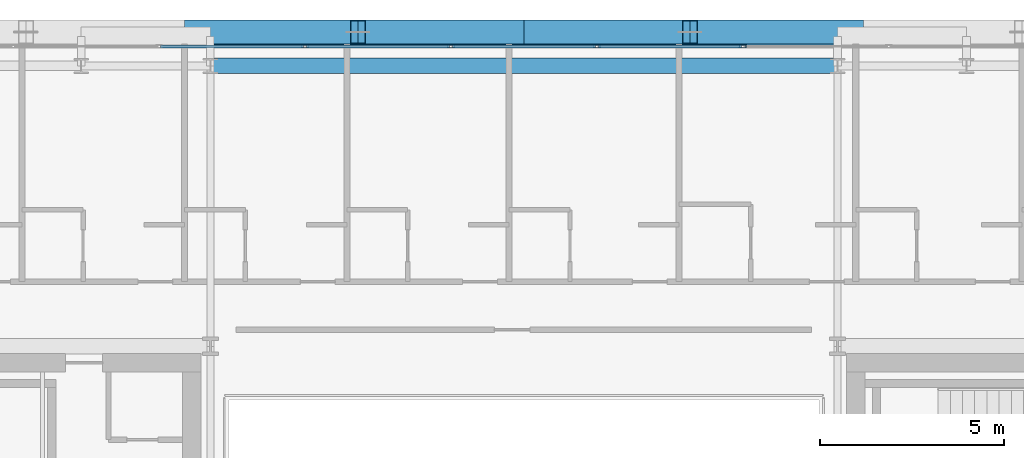
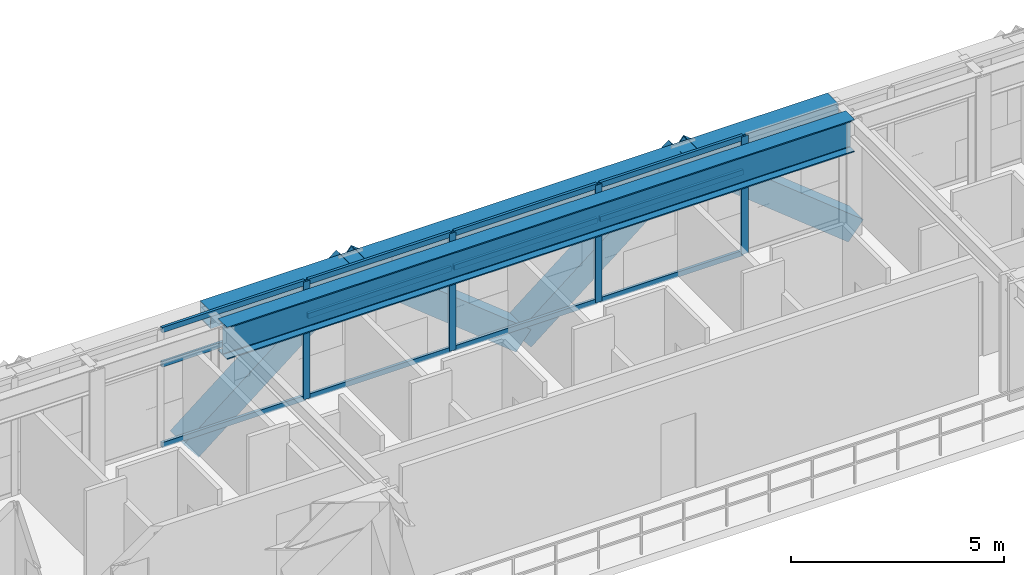
# One storey, part 17 of 32: 20 members, 2 beams, 1 element without a shape of its own.
"""IFC4 building model written with IfcOpenShell, lengths in metres."""

from ifc_helpers import new_model, si_unit, direction, frame, origin, origin_2d, place, context, subcontext, project, spatial, hollow_rectangle, i_section, extrude, source, transform, mapped, material, layer, layer_set, material_profile, profile_set, type_object, element, aggregate, save


model = new_model("IFC4")

# Units and contexts
model_context = context("Model", 3, precision=1e-05, world=origin(), true_north=direction((0.0, 1.0)))
body_context = subcontext(model_context, "Body", "Model", "MODEL_VIEW")
ifc_project = project(units=[si_unit("LENGTHUNIT", "METRE"), si_unit("AREAUNIT", "SQUARE_METRE"), si_unit("VOLUMEUNIT", "CUBIC_METRE"), si_unit("PLANEANGLEUNIT", "RADIAN"), si_unit("MASSUNIT", "GRAM", prefix="KILO")], contexts=[model_context])

# Site, building, storey
site_placement = place(None, origin())
site = spatial("IfcSite", under=ifc_project, at=site_placement, CompositionType="ELEMENT")
building_placement = place(site_placement, origin())
building = spatial("IfcBuilding", under=site, at=building_placement, Name="Ocotamira Hotel", CompositionType="ELEMENT")
storey_placement = place(building_placement, frame((0.0, 0.0, 166.800048828125)))
storey = spatial("IfcBuildingStorey", under=building, at=storey_placement, Name="L41", CompositionType="ELEMENT", Elevation=166.800048828125)

# Beams
ifc_material_1 = material(Name="Steel ASTM A992 Grade 50", Category="steel")
ifc_material_profile_1 = material_profile(ifc_material_1, i_section(OverallWidth=0.41796875, OverallDepth=0.927001953125, WebThickness=0.019287109375, FlangeThickness=0.031982421875, FilletRadius=0.02392578125, at=origin_2d()), Name="W36X231")
ifc_profile_set_1 = profile_set([ifc_material_profile_1], Name="Steel ASTM A992 Grade 50")
beam_type_1 = type_object("IfcBeamType", Name="BM-GIRD-W36X231", PredefinedType="BEAM", material=ifc_profile_set_1)
shared_shape_1 = source(origin(), body_context, "Body", "SweptSolid", [
    extrude(i_section(OverallWidth=0.41796875, OverallDepth=0.927001953125, WebThickness=0.019287109375, FlangeThickness=0.031982421875, FilletRadius=0.02392578125, at=origin_2d()), origin(), (0.0, 0.0, 1.0), 17.0),
])
beam_1_placement = place(storey_placement, frame((23.5, 45.050048828125, 2.906494140625), z_axis=(1.0, 0.0, 0.0), x_axis=(0.0, 1.0, 0.0)))
element("IfcBeam", 1, at=beam_1_placement, inside=storey, type_object=beam_type_1, Name="L41 Girder Y45.05 X23.5-40.5", PredefinedType="BEAM", context=body_context, shape_type="MappedRepresentation", body=[
    mapped(shared_shape_1, transform((0.0, 0.0, 0.0), scale=1.0)),
])
ifc_material_2 = material(Name="Steel ASTM A500 Grade C", Category="steel")
ifc_material_profile_2 = material_profile(ifc_material_2, hollow_rectangle(XDim=0.5, YDim=0.5, WallThickness=0.02001953125, at=origin_2d()), Name="HSS500X500X20")
ifc_profile_set_2 = profile_set([ifc_material_profile_2], Name="Steel ASTM A500 Grade C")
beam_type_2 = type_object("IfcBeamType", Name="BM-SPAN-HSS500", PredefinedType="USERDEFINED", material=ifc_profile_set_2)
shared_shape_2 = source(origin(), body_context, "Body", "SweptSolid", [
    extrude(hollow_rectangle(XDim=0.5, YDim=0.5, WallThickness=0.02001953125, at=origin_2d()), origin(), (0.0, 0.0, 1.0), 17.0),
])
beam_2_placement = place(storey_placement, frame((23.5, 45.85009765625, 3.119873046875), z_axis=(1.0, 0.0, 0.0), x_axis=(0.0, 1.0, 0.0)))
element("IfcBeam", 2, at=beam_2_placement, inside=storey, type_object=beam_type_2, Name="L41 Edge Spandrel N X23.5-40.5", ObjectType="SPANDREL", PredefinedType="USERDEFINED", context=body_context, shape_type="MappedRepresentation", body=[
    mapped(shared_shape_2, transform((0.0, 0.0, 0.0), scale=1.0)),
])

# Members
ifc_material_3 = material(Name="Pale-metal coated steel ASTM A913 Grade 65", Category="steel")
ifc_material_profile_3 = material_profile(ifc_material_3, hollow_rectangle(XDim=0.64990234375, YDim=0.64990234375, WallThickness=0.02197265625, at=origin_2d()), Name="BOX650X650X22")
ifc_profile_set_3 = profile_set([ifc_material_profile_3], Name="Pale-metal coated steel ASTM A913 Grade 65")
member_type_1 = type_object("IfcMemberType", Name="MEM-EXO-BOX650", PredefinedType="BRACE", material=ifc_profile_set_3)
shared_shape_3 = source(origin(), body_context, "Body", "SweptSolid", [
    extrude(hollow_rectangle(XDim=0.64990234375, YDim=0.64990234375, WallThickness=0.02197265625, at=origin_2d()), origin(), (0.0, 0.0, 1.0), 5.7626953125),
])
for number, where, z_axis, x_axis, name in (
    (3, (23.0, 45.969970703125, -0.47998046875), (0.780881208953, 0.0, 0.624679547852), (0.0, 1.0, 0.0), "L41 Exoskeleton Diagrid N1.1"),
    (4, (32.0, 45.969970703125, -0.47998046875), (-0.780881208953, 0.0, 0.624679547852), (0.0, -1.0, 0.0), "L41 Exoskeleton Diagrid N1.2"),
    (5, (32.0, 45.969970703125, -0.47998046875), (0.780881208953, 0.0, 0.624679547852), (0.0, 1.0, 0.0), "L41 Exoskeleton Diagrid N2.1"),
    (6, (41.0, 45.969970703125, -0.47998046875), (-0.780881208953, 0.0, 0.624679547852), (0.0, -1.0, 0.0), "L41 Exoskeleton Diagrid N2.2"),
):
    element("IfcMember", number, at=place(storey_placement, frame(where, z_axis=z_axis, x_axis=x_axis)), inside=storey, type_object=member_type_1, Name=name, PredefinedType="BRACE", context=body_context, shape_type="MappedRepresentation", body=[
        mapped(shared_shape_3, transform((0.0, 0.0, 0.0), scale=1.0)),
    ])

# Curtain wall, members
ifc_material_4 = material(Name="Anodised pale-metal aluminium and solar glass", Category="aluminium")
ifc_layer = layer(ifc_material_4, 0.199951171875)
ifc_layer_set = layer_set([ifc_layer], Name="Anodised pale-metal aluminium and solar glass")
curtain_wall_type = type_object("IfcCurtainWallType", Name="CW-SYS4-Z3", PredefinedType="NOTDEFINED", material=ifc_layer_set)
curtain_wall_placement = place(storey_placement, origin())
curtain_wall = element("IfcCurtainWall", 7, at=curtain_wall_placement, inside=storey, type_object=curtain_wall_type, Name="L41 Curtain Wall CW-4 CW-L41-N", PredefinedType="NOTDEFINED")
ifc_material_5 = material(Name="Anodised pale-metal aluminium 6063-T6", Category="aluminium")
ifc_material_profile_4 = material_profile(ifc_material_5, hollow_rectangle(XDim=0.074951171875, YDim=0.14990234375, WallThickness=0.006103515625, at=origin_2d()), Name="HSS150X75X6")
ifc_profile_set_4 = profile_set([ifc_material_profile_4], Name="Anodised pale-metal aluminium 6063-T6")
member_type_2 = type_object("IfcMemberType", Name="CWT-150X75", PredefinedType="USERDEFINED", material=ifc_profile_set_4)
shared_shape_4 = source(origin(), body_context, "Body", "SweptSolid", [
    extrude(hollow_rectangle(XDim=0.074951171875, YDim=0.14990234375, WallThickness=0.006103515625, at=origin_2d()), origin(), (0.0, 0.0, 1.0), 3.87548828125),
])
member_1_placement = place(storey_placement, frame((22.151123046875, 45.580078125, 0.037353515625), z_axis=(1.0, 0.0, 0.0), x_axis=(0.0, 1.0, 0.0)))
member_1 = element("IfcMember", 8, at=member_1_placement, type_object=member_type_2, Name="CW-4 transom 3.1", ObjectType="TRANSOM", PredefinedType="USERDEFINED", context=body_context, shape_type="MappedRepresentation", body=[
    mapped(shared_shape_4, transform((0.0, 0.0, 0.0), scale=1.0)),
])
member_2_placement = place(storey_placement, frame((22.151123046875, 45.580078125, 2.349853515625), z_axis=(1.0, 0.0, 0.0), x_axis=(0.0, 1.0, 0.0)))
member_2 = element("IfcMember", 9, at=member_2_placement, type_object=member_type_2, Name="CW-4 transom 3.2", ObjectType="TRANSOM", PredefinedType="USERDEFINED", context=body_context, shape_type="MappedRepresentation", body=[
    mapped(shared_shape_4, transform((0.0, 0.0, 0.0), scale=1.0)),
])
member_3_placement = place(storey_placement, frame((22.151123046875, 45.580078125, 3.33251953125), z_axis=(1.0, 0.0, 0.0), x_axis=(0.0, 1.0, 0.0)))
member_3 = element("IfcMember", 10, at=member_3_placement, type_object=member_type_2, Name="CW-4 transom 3.3", ObjectType="TRANSOM", PredefinedType="USERDEFINED", context=body_context, shape_type="MappedRepresentation", body=[
    mapped(shared_shape_4, transform((0.0, 0.0, 0.0), scale=1.0)),
])
member_4_placement = place(storey_placement, frame((26.106689453125, 45.580078125, 0.037353515625), z_axis=(1.0, 0.0, 0.0), x_axis=(0.0, 1.0, 0.0)))
member_4 = element("IfcMember", 11, at=member_4_placement, type_object=member_type_2, Name="CW-4 transom 4.1", ObjectType="TRANSOM", PredefinedType="USERDEFINED", context=body_context, shape_type="MappedRepresentation", body=[
    mapped(shared_shape_4, transform((0.0, 0.0, 0.0), scale=1.0)),
])
member_5_placement = place(storey_placement, frame((26.106689453125, 45.580078125, 2.349853515625), z_axis=(1.0, 0.0, 0.0), x_axis=(0.0, 1.0, 0.0)))
member_5 = element("IfcMember", 12, at=member_5_placement, type_object=member_type_2, Name="CW-4 transom 4.2", ObjectType="TRANSOM", PredefinedType="USERDEFINED", context=body_context, shape_type="MappedRepresentation", body=[
    mapped(shared_shape_4, transform((0.0, 0.0, 0.0), scale=1.0)),
])
member_6_placement = place(storey_placement, frame((26.106689453125, 45.580078125, 3.33251953125), z_axis=(1.0, 0.0, 0.0), x_axis=(0.0, 1.0, 0.0)))
member_6 = element("IfcMember", 13, at=member_6_placement, type_object=member_type_2, Name="CW-4 transom 4.3", ObjectType="TRANSOM", PredefinedType="USERDEFINED", context=body_context, shape_type="MappedRepresentation", body=[
    mapped(shared_shape_4, transform((0.0, 0.0, 0.0), scale=1.0)),
])
member_7_placement = place(storey_placement, frame((30.062255859375, 45.580078125, 0.037353515625), z_axis=(1.0, 0.0, 0.0), x_axis=(0.0, 1.0, 0.0)))
member_7 = element("IfcMember", 14, at=member_7_placement, type_object=member_type_2, Name="CW-4 transom 5.1", ObjectType="TRANSOM", PredefinedType="USERDEFINED", context=body_context, shape_type="MappedRepresentation", body=[
    mapped(shared_shape_4, transform((0.0, 0.0, 0.0), scale=1.0)),
])
member_8_placement = place(storey_placement, frame((30.062255859375, 45.580078125, 2.349853515625), z_axis=(1.0, 0.0, 0.0), x_axis=(0.0, 1.0, 0.0)))
member_8 = element("IfcMember", 15, at=member_8_placement, type_object=member_type_2, Name="CW-4 transom 5.2", ObjectType="TRANSOM", PredefinedType="USERDEFINED", context=body_context, shape_type="MappedRepresentation", body=[
    mapped(shared_shape_4, transform((0.0, 0.0, 0.0), scale=1.0)),
])
member_9_placement = place(storey_placement, frame((30.062255859375, 45.580078125, 3.33251953125), z_axis=(1.0, 0.0, 0.0), x_axis=(0.0, 1.0, 0.0)))
member_9 = element("IfcMember", 16, at=member_9_placement, type_object=member_type_2, Name="CW-4 transom 5.3", ObjectType="TRANSOM", PredefinedType="USERDEFINED", context=body_context, shape_type="MappedRepresentation", body=[
    mapped(shared_shape_4, transform((0.0, 0.0, 0.0), scale=1.0)),
])
member_10_placement = place(storey_placement, frame((34.017822265625, 45.580078125, 0.037353515625), z_axis=(1.0, 0.0, 0.0), x_axis=(0.0, 1.0, 0.0)))
member_10 = element("IfcMember", 17, at=member_10_placement, type_object=member_type_2, Name="CW-4 transom 6.1", ObjectType="TRANSOM", PredefinedType="USERDEFINED", context=body_context, shape_type="MappedRepresentation", body=[
    mapped(shared_shape_4, transform((0.0, 0.0, 0.0), scale=1.0)),
])
member_11_placement = place(storey_placement, frame((34.017822265625, 45.580078125, 2.349853515625), z_axis=(1.0, 0.0, 0.0), x_axis=(0.0, 1.0, 0.0)))
member_11 = element("IfcMember", 18, at=member_11_placement, type_object=member_type_2, Name="CW-4 transom 6.2", ObjectType="TRANSOM", PredefinedType="USERDEFINED", context=body_context, shape_type="MappedRepresentation", body=[
    mapped(shared_shape_4, transform((0.0, 0.0, 0.0), scale=1.0)),
])
member_12_placement = place(storey_placement, frame((34.017822265625, 45.580078125, 3.33251953125), z_axis=(1.0, 0.0, 0.0), x_axis=(0.0, 1.0, 0.0)))
member_12 = element("IfcMember", 19, at=member_12_placement, type_object=member_type_2, Name="CW-4 transom 6.3", ObjectType="TRANSOM", PredefinedType="USERDEFINED", context=body_context, shape_type="MappedRepresentation", body=[
    mapped(shared_shape_4, transform((0.0, 0.0, 0.0), scale=1.0)),
])
ifc_material_profile_5 = material_profile(ifc_material_5, hollow_rectangle(XDim=0.080078125, YDim=0.179931640625, WallThickness=0.006103515625, at=origin_2d()), Name="HSS180X80X6")
ifc_profile_set_5 = profile_set([ifc_material_profile_5], Name="Anodised pale-metal aluminium 6063-T6")
member_type_3 = type_object("IfcMemberType", Name="CWM-180X75", PredefinedType="MULLION", material=ifc_profile_set_5)
shared_shape_5 = source(origin(), body_context, "Body", "SweptSolid", [
    extrude(hollow_rectangle(XDim=0.080078125, YDim=0.179931640625, WallThickness=0.006103515625, at=origin_2d()), origin(), (0.0, 0.0, 1.0), 3.369873046875),
])
member_13_placement = place(storey_placement, frame((26.066650390625, 45.580078125, 0.0), z_axis=(0.0, 0.0, 1.0), x_axis=(0.0, 1.0, 0.0)))
member_13 = element("IfcMember", 20, at=member_13_placement, type_object=member_type_3, Name="CW-4 mullion 4", PredefinedType="MULLION", context=body_context, shape_type="MappedRepresentation", body=[
    mapped(shared_shape_5, transform((0.0, 0.0, 0.0), scale=1.0)),
])
member_14_placement = place(storey_placement, frame((30.022216796875, 45.580078125, 0.0), z_axis=(0.0, 0.0, 1.0), x_axis=(0.0, 1.0, 0.0)))
member_14 = element("IfcMember", 21, at=member_14_placement, type_object=member_type_3, Name="CW-4 mullion 5", PredefinedType="MULLION", context=body_context, shape_type="MappedRepresentation", body=[
    mapped(shared_shape_5, transform((0.0, 0.0, 0.0), scale=1.0)),
])
member_15_placement = place(storey_placement, frame((33.977783203125, 45.580078125, 0.0), z_axis=(0.0, 0.0, 1.0), x_axis=(0.0, 1.0, 0.0)))
member_15 = element("IfcMember", 22, at=member_15_placement, type_object=member_type_3, Name="CW-4 mullion 6", PredefinedType="MULLION", context=body_context, shape_type="MappedRepresentation", body=[
    mapped(shared_shape_5, transform((0.0, 0.0, 0.0), scale=1.0)),
])
member_16_placement = place(storey_placement, frame((37.933349609375, 45.580078125, 0.0), z_axis=(0.0, 0.0, 1.0), x_axis=(0.0, 1.0, 0.0)))
member_16 = element("IfcMember", 23, at=member_16_placement, type_object=member_type_3, Name="CW-4 mullion 7", PredefinedType="MULLION", context=body_context, shape_type="MappedRepresentation", body=[
    mapped(shared_shape_5, transform((0.0, 0.0, 0.0), scale=1.0)),
])
aggregate(curtain_wall, [member_13, member_14, member_15, member_16, member_1, member_2, member_3, member_4, member_5, member_6, member_7, member_8, member_9, member_10, member_11, member_12])

save(model, "model.ifc")
